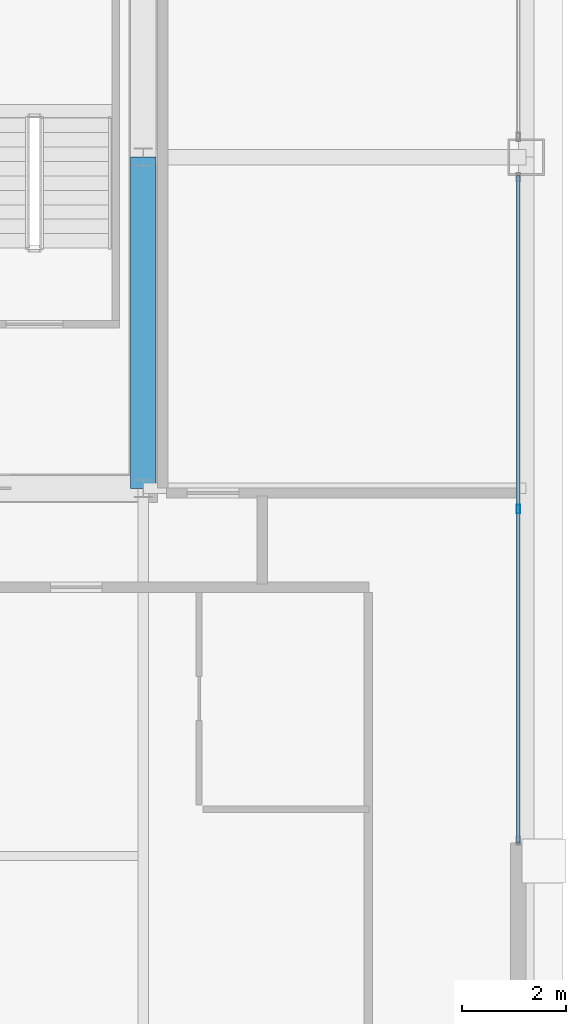
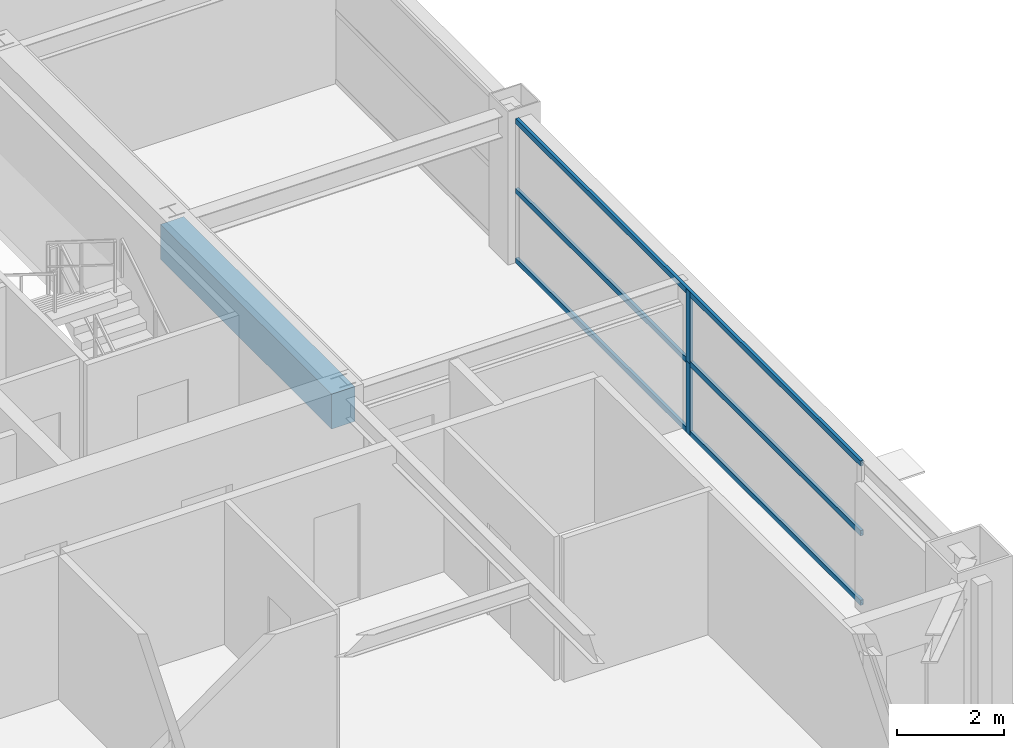
# One storey, part 20 of 37: 5 members, 1 beam, 1 element without a shape of its own.
"""IFC4 building model written with IfcOpenShell, lengths in metres."""

import ifcopenshell
import ifcopenshell.guid

model = None  # the IFC model being written
_history = None  # IfcOwnerHistory: only IFC2X3 demands one
_inside = {}  # id of a spatial element -> (the spatial element, [elements in it])
_under = {}  # id of a project, library or spatial element -> (it, [spatial elements below it])
_declared = {}  # id of a project -> (the project, [libraries it declares])
_typed = {}  # id of a type object -> (the type object, [elements of that type])
_made_of = {}  # id of a material, layer set ... -> (it, [elements and type objects made of it])


def new_model(schema):
    """Start an empty IFC model of exactly this schema.

    Asked for "IFC4X3", IfcOpenShell would pick the latest addendum, in which some entities
    have other attributes; the version numbers below select the first issue.
    IFC2X3 requires an IfcOwnerHistory on every rooted entity: one is made here for all.
    """
    global model, _history
    if schema == "IFC4X3":
        model = ifcopenshell.file(schema_version=(4, 3, 0, 0))
    else:
        model = ifcopenshell.file(schema=schema)
    _inside.clear()
    _under.clear()
    _declared.clear()
    _typed.clear()
    _made_of.clear()
    _history = None
    if model.schema == "IFC2X3":
        org = make("IfcOrganization", Name="unknown")
        user = make(
            "IfcPersonAndOrganization",
            ThePerson=make("IfcPerson", FamilyName="unknown"),
            TheOrganization=org,
        )
        app = make(
            "IfcApplication",
            ApplicationDeveloper=org,
            Version="unknown",
            ApplicationFullName="unknown",
            ApplicationIdentifier="unknown",
        )
        _history = make(
            "IfcOwnerHistory",
            OwningUser=user,
            OwningApplication=app,
            ChangeAction="ADDED",
            CreationDate=0,
        )
    return model


def make(cls, **values):
    """One entity of the class cls with the attributes given. An attribute that is None is left unset."""
    return model.create_entity(
        cls, **{name: value for name, value in values.items() if value is not None}
    )


def rooted(cls, **values):
    """An entity with a GlobalId (a new one), such as an element, a storey or a relation."""
    return make(cls, GlobalId=ifcopenshell.guid.new(), OwnerHistory=_history, **values)


def si_unit(unit_type, name, prefix=None):
    """IfcSIUnit, for example si_unit("LENGTHUNIT", "METRE", prefix="MILLI")."""
    return make("IfcSIUnit", UnitType=unit_type, Prefix=prefix, Name=name)


def assignment(units):
    """IfcUnitAssignment: the units of a project."""
    return None if units is None else make("IfcUnitAssignment", Units=units)


def point(xyz):
    """IfcCartesianPoint."""
    return None if xyz is None else make("IfcCartesianPoint", Coordinates=xyz)


def direction(xyz):
    """IfcDirection."""
    return None if xyz is None else make("IfcDirection", DirectionRatios=xyz)


def frame(location, z_axis=None, x_axis=None):
    """IfcAxis2Placement3D, a coordinate frame: its origin and axes. An axis left out is left unset."""
    return make(
        "IfcAxis2Placement3D",
        Location=point(location),
        Axis=direction(z_axis),
        RefDirection=direction(x_axis),
    )


def frame_2d(location, x_axis=None):
    """IfcAxis2Placement2D, a coordinate frame in the plane: its origin and x axis."""
    return make(
        "IfcAxis2Placement2D", Location=point(location), RefDirection=direction(x_axis)
    )


def origin():
    """The frame at (0, 0, 0) with its axes left unset."""
    return frame((0.0, 0.0, 0.0))


def origin_2d():
    """The frame at (0, 0) in the plane with its x axis left unset."""
    return frame_2d((0.0, 0.0))


def place(relative_to, where):
    """IfcLocalPlacement: puts the frame where relative to a parent placement (None: the world)."""
    return make(
        "IfcLocalPlacement", PlacementRelTo=relative_to, RelativePlacement=where
    )


def context(
    kind, dimensions, precision=None, world=None, true_north=None, identifier=None
):
    """IfcGeometricRepresentationContext, for example the 3D "Model" context."""
    return make(
        "IfcGeometricRepresentationContext",
        ContextIdentifier=identifier,
        ContextType=kind,
        CoordinateSpaceDimension=dimensions,
        Precision=precision,
        WorldCoordinateSystem=world,
        TrueNorth=true_north,
    )


def subcontext(parent, identifier, kind, view, scale=None):
    """IfcGeometricRepresentationSubContext, for example "Body" below "Model"."""
    return make(
        "IfcGeometricRepresentationSubContext",
        ContextIdentifier=identifier,
        ContextType=kind,
        ParentContext=parent,
        TargetScale=scale,
        TargetView=view,
    )


def project(units=None, contexts=None):
    """IfcProject with its units and contexts."""
    return rooted(
        "IfcProject",
        Name="project",
        RepresentationContexts=contexts,
        UnitsInContext=assignment(units),
    )


def spatial(cls, under=None, at=None, **own):
    """A site, building, storey or space (cls), placed at a placement, below another one or the project."""
    s = rooted(cls, ObjectPlacement=at, **own)
    if under is not None:
        _under.setdefault(under.id(), (under, []))[1].append(s)
    return s


def profile(cls, at=None, kind="AREA", **sizes):
    """A parametric profile (cls). Its sizes go by their IFC names, for example OverallWidth=200.0."""
    return make(cls, ProfileType=kind, Position=at, **sizes)


def rectangle(**sizes):
    """IfcRectangleProfileDef."""
    return profile("IfcRectangleProfileDef", **sizes)


def hollow_rectangle(**sizes):
    """IfcRectangleHollowProfileDef."""
    return profile("IfcRectangleHollowProfileDef", **sizes)


def extrude(swept, where, along, depth):
    """IfcExtrudedAreaSolid: the profile swept, set in the frame where, extruded along a direction by depth."""
    return make(
        "IfcExtrudedAreaSolid",
        SweptArea=swept,
        Position=where,
        ExtrudedDirection=direction(along),
        Depth=depth,
    )


def shape(context_of_items, identifier, shape_type, items):
    """IfcShapeRepresentation: the items that make up one representation, for example the "Body"."""
    return make(
        "IfcShapeRepresentation",
        ContextOfItems=context_of_items,
        RepresentationIdentifier=identifier,
        RepresentationType=shape_type,
        Items=items,
    )


def source(mapping_origin, context_of_items, identifier, shape_type, items):
    """IfcRepresentationMap: a shape defined once, which mapped items show again and again."""
    return make(
        "IfcRepresentationMap",
        MappingOrigin=mapping_origin,
        MappedRepresentation=shape(context_of_items, identifier, shape_type, items),
    )


def transform(
    local_origin,
    x_axis=None,
    y_axis=None,
    z_axis=None,
    scale=None,
    scale2=None,
    scale3=None,
    uniform=True,
):
    """IfcCartesianTransformationOperator3D, or its non-uniform kind. x_axis, y_axis, z_axis: its Axis1, 2, 3."""
    if uniform:
        return make(
            "IfcCartesianTransformationOperator3D",
            Axis1=direction(x_axis),
            Axis2=direction(y_axis),
            LocalOrigin=point(local_origin),
            Scale=scale,
            Axis3=direction(z_axis),
        )
    return make(
        "IfcCartesianTransformationOperator3DnonUniform",
        Axis1=direction(x_axis),
        Axis2=direction(y_axis),
        LocalOrigin=point(local_origin),
        Scale=scale,
        Axis3=direction(z_axis),
        Scale2=scale2,
        Scale3=scale3,
    )


def mapped(mapping_source, mapping_target):
    """IfcMappedItem: shows the shape of a source again, moved by a transform."""
    return make(
        "IfcMappedItem", MappingSource=mapping_source, MappingTarget=mapping_target
    )


def material(Name=None, Category=None):
    """IfcMaterial."""
    return make("IfcMaterial", Name=Name, Category=Category)


def layer(
    of_material, thickness, ventilated=None, Name=None, Category=None, Priority=None
):
    """IfcMaterialLayer: one layer of a wall or slab, of a material (None: an air gap)."""
    return make(
        "IfcMaterialLayer",
        Material=of_material,
        LayerThickness=thickness,
        IsVentilated=ventilated,
        Name=Name,
        Category=Category,
        Priority=Priority,
    )


def layer_set(layers, Name=None):
    """IfcMaterialLayerSet."""
    return make("IfcMaterialLayerSet", MaterialLayers=layers, LayerSetName=Name)


def material_profile(
    of_material, cross_section, Name=None, Category=None, Priority=None
):
    """IfcMaterialProfile: a cross section and its material."""
    return make(
        "IfcMaterialProfile",
        Name=Name,
        Material=of_material,
        Profile=cross_section,
        Priority=Priority,
        Category=Category,
    )


def profile_set(profiles, Name=None, composite=None):
    """IfcMaterialProfileSet."""
    return make(
        "IfcMaterialProfileSet",
        Name=Name,
        MaterialProfiles=profiles,
        CompositeProfile=composite,
    )


def made_of(thing, what):
    """Note that an element or type object is made of a material, layer set ...; save() writes the relation."""
    if what is not None:
        _made_of.setdefault(what.id(), (what, []))[1].append(thing)
    return thing


def type_object(cls, material=None, **own):
    """A type object (cls), such as IfcWallType, which elements share."""
    return made_of(rooted(cls, **own), material)


def element(
    cls,
    number,
    at=None,
    inside=None,
    cuts=None,
    type_object=None,
    material=None,
    context=None,
    identifier="Body",
    shape_type=None,
    held_by="IfcProductDefinitionShape",
    body=None,
    shapes=None,
    **own,
):
    """One element of the class cls, such as IfcWall. Its Tag is "e" and its number.

    at: its placement. inside: the storey or other place that contains it. cuts: it is an
    opening in that element (IfcRelVoidsElement). A single representation is given by context,
    identifier, shape_type and body (its items); several are given by shapes. held_by: the class
    of the entity that holds the representations. save() writes the other relations.
    """
    e = rooted(cls, Tag="e%d" % number, ObjectPlacement=at, **own)
    if body is not None:
        shapes = [shape(context, identifier, shape_type, body)]
    if shapes is not None:
        e.Representation = make(held_by, Representations=shapes)
    if inside is not None:
        _inside.setdefault(inside.id(), (inside, []))[1].append(e)
    if cuts is not None:
        rooted(
            "IfcRelVoidsElement", RelatingBuildingElement=cuts, RelatedOpeningElement=e
        )
    if type_object is not None:
        _typed.setdefault(type_object.id(), (type_object, []))[1].append(e)
    return made_of(e, material)


def aggregate(whole, parts):
    """IfcRelAggregates: a whole, such as a stair, and the parts it consists of."""
    return rooted("IfcRelAggregates", RelatingObject=whole, RelatedObjects=parts)


def save(model, path):
    """Write the relations noted so far, then the file.

    IfcRelAggregates (storeys below a building ...), IfcRelContainedInSpatialStructure (elements
    in a storey), IfcRelDefinesByType, IfcRelAssociatesMaterial and IfcRelDeclares: one each for
    every whole, place, type object, material and project.
    """
    for whole, parts in _under.values():
        aggregate(whole, parts)
    for where, things in _inside.values():
        rooted(
            "IfcRelContainedInSpatialStructure",
            RelatedElements=things,
            RelatingStructure=where,
        )
    for kind, things in _typed.values():
        rooted("IfcRelDefinesByType", RelatedObjects=things, RelatingType=kind)
    for what, things in _made_of.values():
        rooted("IfcRelAssociatesMaterial", RelatedObjects=things, RelatingMaterial=what)
    for by, libraries in _declared.values():
        rooted("IfcRelDeclares", RelatingContext=by, RelatedDefinitions=libraries)
    model.write(path)


model = new_model("IFC4")

# Units and contexts
model_context = context("Model", 3, precision=1e-05, world=origin(), true_north=direction((0.0, 1.0)))
body_context = subcontext(model_context, "Body", "Model", "MODEL_VIEW")
ifc_project = project(units=[si_unit("LENGTHUNIT", "METRE"), si_unit("AREAUNIT", "SQUARE_METRE"), si_unit("VOLUMEUNIT", "CUBIC_METRE"), si_unit("PLANEANGLEUNIT", "RADIAN"), si_unit("MASSUNIT", "GRAM", prefix="KILO"), si_unit("THERMODYNAMICTEMPERATUREUNIT", "KELVIN"), si_unit("POWERUNIT", "WATT")], contexts=[model_context])

# Site, building, storey
site_placement = place(None, origin())
site = spatial("IfcSite", under=ifc_project, at=site_placement, CompositionType="ELEMENT")
building_placement = place(site_placement, origin())
building = spatial("IfcBuilding", under=site, at=building_placement, Name="Yuzanri Waterfront Tower", CompositionType="ELEMENT")
storey_placement = place(building_placement, frame((0.0, 0.0, 275.10009765625)))
storey = spatial("IfcBuildingStorey", under=building, at=storey_placement, Name="L73", CompositionType="ELEMENT", Elevation=275.10009765625)

# Beam
ifc_material_1 = material(Name="Concrete C50", Category="concrete")
ifc_material_profile_1 = material_profile(ifc_material_1, rectangle(XDim=0.5, YDim=0.800048828125, at=origin_2d()), Name="RC 500x800")
ifc_profile_set_1 = profile_set([ifc_material_profile_1], Name="Concrete C50")
beam_type = type_object("IfcBeamType", Name="Core Coupling Lintel Concrete C50 500x800", PredefinedType="LINTEL", material=ifc_profile_set_1)
shared_shape_1 = source(origin(), body_context, "Body", "SweptSolid", [
    extrude(rectangle(XDim=0.5, YDim=0.800048828125, at=origin_2d()), origin(), (0.0, 0.0, 1.0), 6.400146484375),
])
beam_placement = place(storey_placement, frame((50.199951171875, 19.39990234375, 2.8798828125), z_axis=(0.0, 1.0, 0.0), x_axis=(-1.0, 0.0, 0.0)))
element("IfcBeam", 1, at=beam_placement, inside=storey, type_object=beam_type, Name="L73 Core Tie Beam CE1", PredefinedType="LINTEL", context=body_context, shape_type="MappedRepresentation", body=[
    mapped(shared_shape_1, transform((0.0, 0.0, 0.0), scale=1.0)),
])

# Curtain wall, members
ifc_material_2 = material(Name="Anodized Architectural Bronze", Category="metal")
ifc_layer = layer(ifc_material_2, 0.159912109375)
ifc_layer_set = layer_set([ifc_layer], Name="Anodized Architectural Bronze")
curtain_wall_type = type_object("IfcCurtainWallType", Name="Anodized Bronze Mid-Rise Residential Acoustic Unitized Curtain Wall 7200", PredefinedType="NOTDEFINED", material=ifc_layer_set)
curtain_wall_placement = place(storey_placement, origin())
curtain_wall = element("IfcCurtainWall", 2, at=curtain_wall_placement, inside=storey, type_object=curtain_wall_type, Name="L73 Curtain Wall CW-L73-EL", PredefinedType="NOTDEFINED")
ifc_material_3 = material(Name="Anodized Architectural Bronze", Category="metal")
ifc_material_profile_2 = material_profile(ifc_material_3, hollow_rectangle(XDim=0.06494140625, YDim=0.159912109375, WallThickness=0.00341796875, at=origin_2d()), Name="CWM 65x160")
ifc_profile_set_2 = profile_set([ifc_material_profile_2], Name="Anodized Architectural Bronze")
member_type_1 = type_object("IfcMemberType", Name="Anodized Bronze Upper-Zone Curtain-Wall Mullion 65x160", PredefinedType="MULLION", material=ifc_profile_set_2)
shared_shape_2 = source(origin(), body_context, "Body", "SweptSolid", [
    extrude(hollow_rectangle(XDim=0.06494140625, YDim=0.159912109375, WallThickness=0.00341796875, at=origin_2d()), origin(), (0.0, 0.0, 1.0), 1.637939453125),
])
member_1_placement = place(storey_placement, frame((57.449951171875, 19.0, 0.0), z_axis=(0.0, 0.0, 1.0), x_axis=(1.0, 0.0, 0.0)))
member_1 = element("IfcMember", 3, at=member_1_placement, type_object=member_type_1, Name="CW-L73-EL Lower Mullion 01", PredefinedType="MULLION", context=body_context, shape_type="MappedRepresentation", body=[
    mapped(shared_shape_2, transform((0.0, 0.0, 0.0), scale=1.0)),
])
member_2_placement = place(storey_placement, frame((57.449951171875, 19.0, 1.641845703125), z_axis=(0.0, 0.0, 1.0), x_axis=(1.0, 0.0, 0.0)))
member_2 = element("IfcMember", 4, at=member_2_placement, type_object=member_type_1, Name="CW-L73-EL Upper Mullion 01", PredefinedType="MULLION", context=body_context, shape_type="MappedRepresentation", body=[
    mapped(shared_shape_2, transform((0.0, 0.0, 0.0), scale=1.0)),
])
ifc_material_4 = material(Name="Anodized Architectural Bronze", Category="metal")
ifc_material_profile_3 = material_profile(ifc_material_4, hollow_rectangle(XDim=0.06494140625, YDim=0.1201171875, WallThickness=0.00341796875, at=origin_2d()), Name="CWT 65x120")
ifc_profile_set_3 = profile_set([ifc_material_profile_3], Name="Anodized Architectural Bronze")
member_type_2 = type_object("IfcMemberType", Name="Anodized Bronze Secondary Curtain-Wall Transom 65x120", PredefinedType="USERDEFINED", material=ifc_profile_set_3)
shared_shape_3 = source(origin(), body_context, "Body", "SweptSolid", [
    extrude(hollow_rectangle(XDim=0.06494140625, YDim=0.1201171875, WallThickness=0.00341796875, at=origin_2d()), origin(), (0.0, 0.0, 1.0), 12.89990234375),
])
member_3_placement = place(storey_placement, frame((57.449951171875, 12.550048828125, 0.0498046875), z_axis=(0.0, 1.0, 0.0), x_axis=(-1.0, 0.0, 0.0)))
member_3 = element("IfcMember", 5, at=member_3_placement, type_object=member_type_2, Name="CW-L73-EL Transom 1", ObjectType="TRANSOM", PredefinedType="USERDEFINED", context=body_context, shape_type="MappedRepresentation", body=[
    mapped(shared_shape_3, transform((0.0, 0.0, 0.0), scale=1.0)),
])
member_4_placement = place(storey_placement, frame((57.449951171875, 12.550048828125, 1.639892578125), z_axis=(0.0, 1.0, 0.0), x_axis=(-1.0, 0.0, 0.0)))
member_4 = element("IfcMember", 6, at=member_4_placement, type_object=member_type_2, Name="CW-L73-EL Transom 2", ObjectType="TRANSOM", PredefinedType="USERDEFINED", context=body_context, shape_type="MappedRepresentation", body=[
    mapped(shared_shape_3, transform((0.0, 0.0, 0.0), scale=1.0)),
])
member_5_placement = place(storey_placement, frame((57.449951171875, 12.550048828125, 3.22998046875), z_axis=(0.0, 1.0, 0.0), x_axis=(-1.0, 0.0, 0.0)))
member_5 = element("IfcMember", 7, at=member_5_placement, type_object=member_type_2, Name="CW-L73-EL Transom 3", ObjectType="TRANSOM", PredefinedType="USERDEFINED", context=body_context, shape_type="MappedRepresentation", body=[
    mapped(shared_shape_3, transform((0.0, 0.0, 0.0), scale=1.0)),
])
aggregate(curtain_wall, [member_1, member_2, member_3, member_4, member_5])

save(model, "model.ifc")
